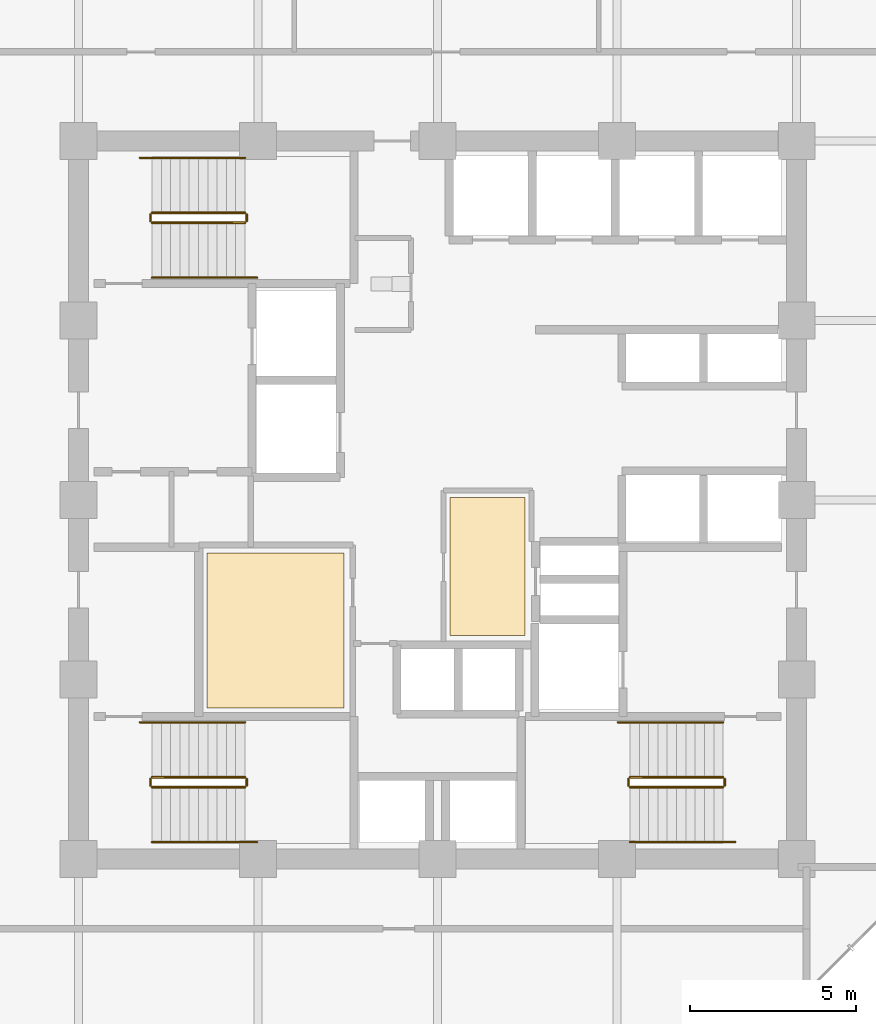
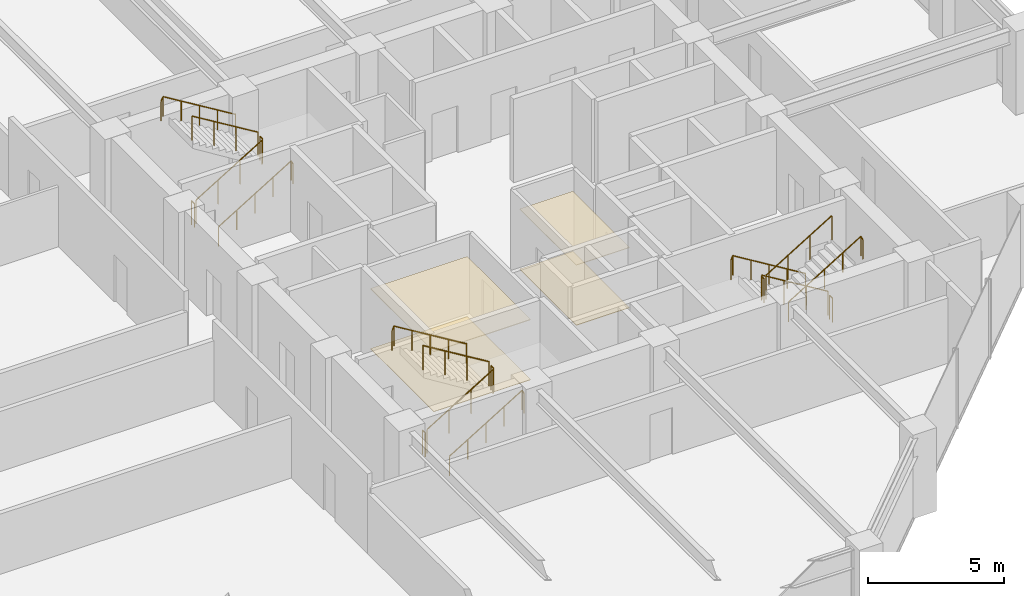
# One storey, part 22 of 23: 18 railings, 4 coverings.
"""IFC4 building model written with IfcOpenShell, lengths in metres."""

from ifc_helpers import new_model, si_unit, direction, frame, origin, origin_2d, place, context, subcontext, project, spatial, polyline, circle, outline, extrude, material, layer, layer_set, type_object, element, save


model = new_model("IFC4")

# Units and contexts
model_context = context("Model", 3, precision=1e-05, world=origin(), true_north=direction((0.0, 1.0)))
body_context = subcontext(model_context, "Body", "Model", "MODEL_VIEW")
ifc_project = project(units=[si_unit("LENGTHUNIT", "METRE"), si_unit("AREAUNIT", "SQUARE_METRE"), si_unit("VOLUMEUNIT", "CUBIC_METRE"), si_unit("PLANEANGLEUNIT", "RADIAN"), si_unit("MASSUNIT", "GRAM", prefix="KILO")], contexts=[model_context])

# Site, building, storey
site_placement = place(None, origin())
site = spatial("IfcSite", under=ifc_project, at=site_placement, CompositionType="ELEMENT")
building_placement = place(site_placement, origin())
building = spatial("IfcBuilding", under=site, at=building_placement, Name="Surkhivell Harbour Commons", CompositionType="ELEMENT")
storey_placement = place(building_placement, frame((0.0, 0.0, 135.75)))
storey = spatial("IfcBuildingStorey", under=building, at=storey_placement, Name="L35", CompositionType="ELEMENT", Elevation=135.75)

# Coverings
ifc_material_1 = material(Name="Perforated acoustic mineral-fibre ceiling tile", Category="other")
ifc_layer_1 = layer(ifc_material_1, 0.02490234375)
ifc_layer_set_1 = layer_set([ifc_layer_1], Name="Perforated acoustic mineral-fibre ceiling tile")
covering_type_1 = type_object("IfcCoveringType", Name="COV-CEIL-AC", PredefinedType="CEILING", material=ifc_layer_set_1)
covering_1_placement = place(storey_placement, frame((0.0, 0.0, 2.694091796875)))
element("IfcCovering", 1, at=covering_1_placement, inside=storey, type_object=covering_type_1, Name="L35 Suspended Acoustic Ceiling 1", PredefinedType="CEILING", context=body_context, shape_type="SweptSolid", body=[
    extrude(outline(polyline([(0.3701171875, -4.080078125), (2.6298828125, -4.080078125), (2.6298828125, 0.080078125), (0.3701171875, 0.080078125), (0.3701171875, -4.080078125)])), origin(), (0.0, 0.0, 1.0), 0.02490234375),
])
ifc_material_2 = material(Name="Moisture-resistant gypsum acoustic ceiling board", Category="other")
ifc_layer_2 = layer(ifc_material_2, 0.030029296875)
ifc_layer_set_2 = layer_set([ifc_layer_2], Name="Moisture-resistant gypsum acoustic ceiling board")
covering_type_2 = type_object("IfcCoveringType", Name="COV-CEIL-GYP", PredefinedType="CEILING", material=ifc_layer_set_2)
covering_2_placement = place(storey_placement, frame((0.0, 0.0, 2.68896484375)))
element("IfcCovering", 2, at=covering_2_placement, inside=storey, type_object=covering_type_2, Name="L35 Suspended Acoustic Ceiling 2", PredefinedType="CEILING", context=body_context, shape_type="SweptSolid", body=[
    extrude(outline(polyline([(-6.929931640625, -6.260009765625), (-2.820068359375, -6.260009765625), (-2.820068359375, -1.60009765625), (-6.929931640625, -1.60009765625), (-6.929931640625, -6.260009765625)])), origin(), (0.0, 0.0, 1.0), 0.030029296875),
])
ifc_material_3 = material(Name="Engineered acoustic oak timber flooring", Category="wood")
ifc_layer_3 = layer(ifc_material_3, 0.02001953125)
ifc_layer_set_3 = layer_set([ifc_layer_3], Name="Engineered acoustic oak timber flooring")
covering_type_3 = type_object("IfcCoveringType", Name="COV-FLR-TIM", PredefinedType="FLOORING", material=ifc_layer_set_3)
covering_3_placement = place(storey_placement, origin())
element("IfcCovering", 3, at=covering_3_placement, inside=storey, type_object=covering_type_3, Name="L35 Interior Floor Finish 1", PredefinedType="FLOORING", context=body_context, shape_type="SweptSolid", body=[
    extrude(outline(polyline([(0.3701171875, -4.080078125), (2.6298828125, -4.080078125), (2.6298828125, 0.080078125), (0.3701171875, 0.080078125), (0.3701171875, -4.080078125)])), origin(), (0.0, 0.0, 1.0), 0.02001953125),
])
covering_4_placement = place(storey_placement, origin())
element("IfcCovering", 4, at=covering_4_placement, inside=storey, type_object=covering_type_3, Name="L35 Interior Floor Finish 2", PredefinedType="FLOORING", context=body_context, shape_type="SweptSolid", body=[
    extrude(outline(polyline([(-6.929931640625, -6.260009765625), (-2.820068359375, -6.260009765625), (-2.820068359375, -1.60009765625), (-6.929931640625, -1.60009765625), (-6.929931640625, -6.260009765625)])), origin(), (0.0, 0.0, 1.0), 0.02001953125),
])

# Railings
ifc_material_4 = material(Name="Galvanised and painted steel S355 guard rail", Category="steel")
railing_type_1 = type_object("IfcRailingType", Name="RAL-ST-GRD1100", PredefinedType="GUARDRAIL", material=ifc_material_4)
railing_1_placement = place(storey_placement, frame((-8.590087890625, 8.340087890625, 0.17041015625)))
element("IfcRailing", 5, at=railing_1_placement, inside=storey, type_object=railing_type_1, Name="L35 ST1 stair guard 1", PredefinedType="GUARDRAIL", context=body_context, shape_type="SweptSolid", body=[
    extrude(circle(Radius=0.02392578125, at=origin_2d()), frame((0.0, 0.0, 1.076171875), z_axis=(0.854169791009, 0.0, 0.51999420009), x_axis=(0.0, 1.0, 0.0)), (0.0, 0.0, 1.0), 3.278076171875),
    extrude(circle(Radius=0.02099609375, at=origin_2d()), origin(), (0.0, 0.0, 1.0), 1.052001953125),
    extrude(circle(Radius=0.02099609375, at=origin_2d()), frame((0.933349609375, 0.0, 0.568115234375)), (0.0, 0.0, 1.0), 1.052001953125),
    extrude(circle(Radius=0.02099609375, at=origin_2d()), frame((1.86669921875, 0.0, 1.136474609375)), (0.0, 0.0, 1.0), 1.052001953125),
    extrude(circle(Radius=0.02099609375, at=origin_2d()), frame((2.800048828125, 0.0, 1.70458984375)), (0.0, 0.0, 1.0), 1.052001953125),
])
railing_2_placement = place(storey_placement, frame((-5.739990234375, 8.389892578125, 1.875)))
element("IfcRailing", 6, at=railing_2_placement, inside=storey, type_object=railing_type_1, Name="L35 ST1 stair guard 2", PredefinedType="GUARDRAIL", context=body_context, shape_type="SweptSolid", body=[
    extrude(circle(Radius=0.02392578125, at=origin_2d()), frame((0.0, 0.0, 1.076171875), z_axis=(0.0, 1.0, 0.0), x_axis=(-1.0, 0.0, 0.0)), (0.0, 0.0, 1.0), 0.2001953125),
    extrude(circle(Radius=0.02099609375, at=origin_2d()), origin(), (0.0, 0.0, 1.0), 1.052001953125),
    extrude(circle(Radius=0.02099609375, at=origin_2d()), frame((0.0, 0.2001953125, 0.0)), (0.0, 0.0, 1.0), 1.052001953125),
])
railing_3_placement = place(storey_placement, frame((-5.7900390625, 8.639892578125, 2.04541015625)))
element("IfcRailing", 7, at=railing_3_placement, inside=storey, type_object=railing_type_1, Name="L35 ST1 stair guard 3", PredefinedType="GUARDRAIL", context=body_context, shape_type="SweptSolid", body=[
    extrude(circle(Radius=0.02392578125, at=origin_2d()), frame((0.0, 0.0, 1.076171875), z_axis=(-0.854169791009, 0.0, 0.51999420009), x_axis=(0.0, -1.0, 0.0)), (0.0, 0.0, 1.0), 3.278076171875),
    extrude(circle(Radius=0.02099609375, at=origin_2d()), origin(), (0.0, 0.0, 1.0), 1.052001953125),
    extrude(circle(Radius=0.02099609375, at=origin_2d()), frame((-0.933349609375, 0.0, 0.568115234375)), (0.0, 0.0, 1.0), 1.052001953125),
    extrude(circle(Radius=0.02099609375, at=origin_2d()), frame((-1.86669921875, 0.0, 1.136474609375)), (0.0, 0.0, 1.0), 1.052001953125),
    extrude(circle(Radius=0.02099609375, at=origin_2d()), frame((-2.800048828125, 0.0, 1.70458984375)), (0.0, 0.0, 1.0), 1.052001953125),
])
railing_4_placement = place(storey_placement, frame((-8.639892578125, 8.389892578125, 0.0)))
element("IfcRailing", 8, at=railing_4_placement, inside=storey, type_object=railing_type_1, Name="L35 ST1 stair guard 4", PredefinedType="GUARDRAIL", context=body_context, shape_type="SweptSolid", body=[
    extrude(circle(Radius=0.02392578125, at=origin_2d()), frame((0.0, 0.0, 1.076171875), z_axis=(0.0, 1.0, 0.0), x_axis=(-1.0, 0.0, 0.0)), (0.0, 0.0, 1.0), 0.2001953125),
    extrude(circle(Radius=0.02099609375, at=origin_2d()), origin(), (0.0, 0.0, 1.0), 1.052001953125),
    extrude(circle(Radius=0.02099609375, at=origin_2d()), frame((0.0, 0.2001953125, 0.0)), (0.0, 0.0, 1.0), 1.052001953125),
])
railing_5_placement = place(storey_placement, frame((8.590087890625, -8.340087890625, 0.17041015625)))
element("IfcRailing", 9, at=railing_5_placement, inside=storey, type_object=railing_type_1, Name="L35 ST2 stair guard 1", PredefinedType="GUARDRAIL", context=body_context, shape_type="SweptSolid", body=[
    extrude(circle(Radius=0.02392578125, at=origin_2d()), frame((0.0, 0.0, 1.076171875), z_axis=(-0.854169791009, 0.0, 0.51999420009), x_axis=(0.0, -1.0, 0.0)), (0.0, 0.0, 1.0), 3.278076171875),
    extrude(circle(Radius=0.02099609375, at=origin_2d()), origin(), (0.0, 0.0, 1.0), 1.052001953125),
    extrude(circle(Radius=0.02099609375, at=origin_2d()), frame((-0.933349609375, 0.0, 0.568115234375)), (0.0, 0.0, 1.0), 1.052001953125),
    extrude(circle(Radius=0.02099609375, at=origin_2d()), frame((-1.86669921875, 0.0, 1.136474609375)), (0.0, 0.0, 1.0), 1.052001953125),
    extrude(circle(Radius=0.02099609375, at=origin_2d()), frame((-2.800048828125, 0.0, 1.70458984375)), (0.0, 0.0, 1.0), 1.052001953125),
])
railing_6_placement = place(storey_placement, frame((5.739990234375, -8.389892578125, 1.875)))
element("IfcRailing", 10, at=railing_6_placement, inside=storey, type_object=railing_type_1, Name="L35 ST2 stair guard 2", PredefinedType="GUARDRAIL", context=body_context, shape_type="SweptSolid", body=[
    extrude(circle(Radius=0.02392578125, at=origin_2d()), frame((0.0, 0.0, 1.076171875), z_axis=(0.0, -1.0, 0.0), x_axis=(1.0, 0.0, 0.0)), (0.0, 0.0, 1.0), 0.2001953125),
    extrude(circle(Radius=0.02099609375, at=origin_2d()), origin(), (0.0, 0.0, 1.0), 1.052001953125),
    extrude(circle(Radius=0.02099609375, at=origin_2d()), frame((0.0, -0.2001953125, 0.0)), (0.0, 0.0, 1.0), 1.052001953125),
])
railing_7_placement = place(storey_placement, frame((5.7900390625, -8.639892578125, 2.04541015625)))
element("IfcRailing", 11, at=railing_7_placement, inside=storey, type_object=railing_type_1, Name="L35 ST2 stair guard 3", PredefinedType="GUARDRAIL", context=body_context, shape_type="SweptSolid", body=[
    extrude(circle(Radius=0.02392578125, at=origin_2d()), frame((0.0, 0.0, 1.076171875), z_axis=(0.854169791009, 0.0, 0.51999420009), x_axis=(0.0, 1.0, 0.0)), (0.0, 0.0, 1.0), 3.278076171875),
    extrude(circle(Radius=0.02099609375, at=origin_2d()), origin(), (0.0, 0.0, 1.0), 1.052001953125),
    extrude(circle(Radius=0.02099609375, at=origin_2d()), frame((0.933349609375, 0.0, 0.568115234375)), (0.0, 0.0, 1.0), 1.052001953125),
    extrude(circle(Radius=0.02099609375, at=origin_2d()), frame((1.86669921875, 0.0, 1.136474609375)), (0.0, 0.0, 1.0), 1.052001953125),
    extrude(circle(Radius=0.02099609375, at=origin_2d()), frame((2.800048828125, 0.0, 1.70458984375)), (0.0, 0.0, 1.0), 1.052001953125),
])
railing_8_placement = place(storey_placement, frame((8.639892578125, -8.389892578125, 0.0)))
element("IfcRailing", 12, at=railing_8_placement, inside=storey, type_object=railing_type_1, Name="L35 ST2 stair guard 4", PredefinedType="GUARDRAIL", context=body_context, shape_type="SweptSolid", body=[
    extrude(circle(Radius=0.02392578125, at=origin_2d()), frame((0.0, 0.0, 1.076171875), z_axis=(0.0, -1.0, 0.0), x_axis=(1.0, 0.0, 0.0)), (0.0, 0.0, 1.0), 0.2001953125),
    extrude(circle(Radius=0.02099609375, at=origin_2d()), origin(), (0.0, 0.0, 1.0), 1.052001953125),
    extrude(circle(Radius=0.02099609375, at=origin_2d()), frame((0.0, -0.2001953125, 0.0)), (0.0, 0.0, 1.0), 1.052001953125),
])
railing_9_placement = place(storey_placement, frame((-8.590087890625, -8.639892578125, 0.17041015625)))
element("IfcRailing", 13, at=railing_9_placement, inside=storey, type_object=railing_type_1, Name="L35 ST3 stair guard 1", PredefinedType="GUARDRAIL", context=body_context, shape_type="SweptSolid", body=[
    extrude(circle(Radius=0.02392578125, at=origin_2d()), frame((0.0, 0.0, 1.076171875), z_axis=(0.854169791009, 0.0, 0.51999420009), x_axis=(0.0, 1.0, 0.0)), (0.0, 0.0, 1.0), 3.278076171875),
    extrude(circle(Radius=0.02099609375, at=origin_2d()), origin(), (0.0, 0.0, 1.0), 1.052001953125),
    extrude(circle(Radius=0.02099609375, at=origin_2d()), frame((0.933349609375, 0.0, 0.568115234375)), (0.0, 0.0, 1.0), 1.052001953125),
    extrude(circle(Radius=0.02099609375, at=origin_2d()), frame((1.86669921875, 0.0, 1.136474609375)), (0.0, 0.0, 1.0), 1.052001953125),
    extrude(circle(Radius=0.02099609375, at=origin_2d()), frame((2.800048828125, 0.0, 1.70458984375)), (0.0, 0.0, 1.0), 1.052001953125),
])
railing_10_placement = place(storey_placement, frame((-5.739990234375, -8.590087890625, 1.875)))
element("IfcRailing", 14, at=railing_10_placement, inside=storey, type_object=railing_type_1, Name="L35 ST3 stair guard 2", PredefinedType="GUARDRAIL", context=body_context, shape_type="SweptSolid", body=[
    extrude(circle(Radius=0.02392578125, at=origin_2d()), frame((0.0, 0.0, 1.076171875), z_axis=(0.0, 1.0, 0.0), x_axis=(-1.0, 0.0, 0.0)), (0.0, 0.0, 1.0), 0.2001953125),
    extrude(circle(Radius=0.02099609375, at=origin_2d()), origin(), (0.0, 0.0, 1.0), 1.052001953125),
    extrude(circle(Radius=0.02099609375, at=origin_2d()), frame((0.0, 0.2001953125, 0.0)), (0.0, 0.0, 1.0), 1.052001953125),
])
railing_11_placement = place(storey_placement, frame((-5.7900390625, -8.340087890625, 2.04541015625)))
element("IfcRailing", 15, at=railing_11_placement, inside=storey, type_object=railing_type_1, Name="L35 ST3 stair guard 3", PredefinedType="GUARDRAIL", context=body_context, shape_type="SweptSolid", body=[
    extrude(circle(Radius=0.02392578125, at=origin_2d()), frame((0.0, 0.0, 1.076171875), z_axis=(-0.854169791009, 0.0, 0.51999420009), x_axis=(0.0, -1.0, 0.0)), (0.0, 0.0, 1.0), 3.278076171875),
    extrude(circle(Radius=0.02099609375, at=origin_2d()), origin(), (0.0, 0.0, 1.0), 1.052001953125),
    extrude(circle(Radius=0.02099609375, at=origin_2d()), frame((-0.933349609375, 0.0, 0.568115234375)), (0.0, 0.0, 1.0), 1.052001953125),
    extrude(circle(Radius=0.02099609375, at=origin_2d()), frame((-1.86669921875, 0.0, 1.136474609375)), (0.0, 0.0, 1.0), 1.052001953125),
    extrude(circle(Radius=0.02099609375, at=origin_2d()), frame((-2.800048828125, 0.0, 1.70458984375)), (0.0, 0.0, 1.0), 1.052001953125),
])
railing_12_placement = place(storey_placement, frame((-8.639892578125, -8.590087890625, 0.0)))
element("IfcRailing", 16, at=railing_12_placement, inside=storey, type_object=railing_type_1, Name="L35 ST3 stair guard 4", PredefinedType="GUARDRAIL", context=body_context, shape_type="SweptSolid", body=[
    extrude(circle(Radius=0.02392578125, at=origin_2d()), frame((0.0, 0.0, 1.076171875), z_axis=(0.0, 1.0, 0.0), x_axis=(-1.0, 0.0, 0.0)), (0.0, 0.0, 1.0), 0.2001953125),
    extrude(circle(Radius=0.02099609375, at=origin_2d()), origin(), (0.0, 0.0, 1.0), 1.052001953125),
    extrude(circle(Radius=0.02099609375, at=origin_2d()), frame((0.0, 0.2001953125, 0.0)), (0.0, 0.0, 1.0), 1.052001953125),
])
ifc_material_5 = material(Name="Brushed stainless steel S355 handrail", Category="steel")
railing_type_2 = type_object("IfcRailingType", Name="RAL-ST-HND900", PredefinedType="HANDRAIL", material=ifc_material_5)
railing_13_placement = place(storey_placement, frame((-8.590087890625, 6.68994140625, 0.17041015625)))
element("IfcRailing", 17, at=railing_13_placement, inside=storey, type_object=railing_type_2, Name="L35 ST1 stair handrail 1", PredefinedType="HANDRAIL", context=body_context, shape_type="SweptSolid", body=[
    extrude(circle(Radius=0.02392578125, at=origin_2d()), frame((0.0, 0.0, 0.8759765625), z_axis=(0.854177636135, 0.0, 0.519981313056), x_axis=(0.0, 1.0, 0.0)), (0.0, 0.0, 1.0), 3.60595703125),
    extrude(circle(Radius=0.02392578125, at=origin_2d()), frame((3.080078125, 0.0, 2.7509765625), z_axis=(0.425297416671, 0.0, -0.905053648892), x_axis=(0.0, 1.0, 0.0)), (0.0, 0.0, 1.0), 0.188232421875),
    extrude(circle(Radius=0.02099609375, at=origin_2d()), origin(), (0.0, 0.0, 1.0), 0.851806640625),
    extrude(circle(Radius=0.02099609375, at=origin_2d()), frame((0.77001953125, 0.0, 0.46875)), (0.0, 0.0, 1.0), 0.851806640625),
    extrude(circle(Radius=0.02099609375, at=origin_2d()), frame((1.5400390625, 0.0, 0.9375)), (0.0, 0.0, 1.0), 0.851806640625),
    extrude(circle(Radius=0.02099609375, at=origin_2d()), frame((2.31005859375, 0.0, 1.40625)), (0.0, 0.0, 1.0), 0.851806640625),
    extrude(circle(Radius=0.02099609375, at=origin_2d()), frame((3.080078125, 0.0, 1.875)), (0.0, 0.0, 1.0), 0.851806640625),
    extrude(circle(Radius=0.02099609375, at=origin_2d()), frame((3.16015625, 0.0, 1.70458984375)), (0.0, 0.0, 1.0), 0.851806640625),
])
railing_14_placement = place(storey_placement, frame((-5.7900390625, 10.2900390625, 2.04541015625)))
element("IfcRailing", 18, at=railing_14_placement, inside=storey, type_object=railing_type_2, Name="L35 ST1 stair handrail 2", PredefinedType="HANDRAIL", context=body_context, shape_type="SweptSolid", body=[
    extrude(circle(Radius=0.02392578125, at=origin_2d()), frame((0.0, 0.0, 0.8759765625), z_axis=(-0.854177636135, 0.0, 0.519981313056), x_axis=(0.0, -1.0, 0.0)), (0.0, 0.0, 1.0), 3.60595703125),
    extrude(circle(Radius=0.02392578125, at=origin_2d()), frame((-3.080078125, 0.0, 2.7509765625), z_axis=(-0.424234432967, 0.0, -0.905552398199), x_axis=(0.0, -1.0, 0.0)), (0.0, 0.0, 1.0), 0.188232421875),
    extrude(circle(Radius=0.02099609375, at=origin_2d()), origin(), (0.0, 0.0, 1.0), 0.851806640625),
    extrude(circle(Radius=0.02099609375, at=origin_2d()), frame((-0.77001953125, 0.0, 0.46875)), (0.0, 0.0, 1.0), 0.851806640625),
    extrude(circle(Radius=0.02099609375, at=origin_2d()), frame((-1.5400390625, 0.0, 0.9375)), (0.0, 0.0, 1.0), 0.851806640625),
    extrude(circle(Radius=0.02099609375, at=origin_2d()), frame((-2.31005859375, 0.0, 1.40625)), (0.0, 0.0, 1.0), 0.851806640625),
    extrude(circle(Radius=0.02099609375, at=origin_2d()), frame((-3.080078125, 0.0, 1.875)), (0.0, 0.0, 1.0), 0.851806640625),
    extrude(circle(Radius=0.02099609375, at=origin_2d()), frame((-3.159912109375, 0.0, 1.70458984375)), (0.0, 0.0, 1.0), 0.851806640625),
])
railing_15_placement = place(storey_placement, frame((8.590087890625, -6.68994140625, 0.17041015625)))
element("IfcRailing", 19, at=railing_15_placement, inside=storey, type_object=railing_type_2, Name="L35 ST2 stair handrail 1", PredefinedType="HANDRAIL", context=body_context, shape_type="SweptSolid", body=[
    extrude(circle(Radius=0.02392578125, at=origin_2d()), frame((0.0, 0.0, 0.8759765625), z_axis=(-0.854177636135, 0.0, 0.519981313056), x_axis=(0.0, -1.0, 0.0)), (0.0, 0.0, 1.0), 3.60595703125),
    extrude(circle(Radius=0.02392578125, at=origin_2d()), frame((-3.080078125, 0.0, 2.7509765625), z_axis=(-0.425297416671, 0.0, -0.905053648892), x_axis=(0.0, -1.0, 0.0)), (0.0, 0.0, 1.0), 0.188232421875),
    extrude(circle(Radius=0.02099609375, at=origin_2d()), origin(), (0.0, 0.0, 1.0), 0.851806640625),
    extrude(circle(Radius=0.02099609375, at=origin_2d()), frame((-0.77001953125, 0.0, 0.46875)), (0.0, 0.0, 1.0), 0.851806640625),
    extrude(circle(Radius=0.02099609375, at=origin_2d()), frame((-1.5400390625, 0.0, 0.9375)), (0.0, 0.0, 1.0), 0.851806640625),
    extrude(circle(Radius=0.02099609375, at=origin_2d()), frame((-2.31005859375, 0.0, 1.40625)), (0.0, 0.0, 1.0), 0.851806640625),
    extrude(circle(Radius=0.02099609375, at=origin_2d()), frame((-3.080078125, 0.0, 1.875)), (0.0, 0.0, 1.0), 0.851806640625),
    extrude(circle(Radius=0.02099609375, at=origin_2d()), frame((-3.16015625, 0.0, 1.70458984375)), (0.0, 0.0, 1.0), 0.851806640625),
])
railing_16_placement = place(storey_placement, frame((5.7900390625, -10.2900390625, 2.04541015625)))
element("IfcRailing", 20, at=railing_16_placement, inside=storey, type_object=railing_type_2, Name="L35 ST2 stair handrail 2", PredefinedType="HANDRAIL", context=body_context, shape_type="SweptSolid", body=[
    extrude(circle(Radius=0.02392578125, at=origin_2d()), frame((0.0, 0.0, 0.8759765625), z_axis=(0.854177636135, 0.0, 0.519981313056), x_axis=(0.0, 1.0, 0.0)), (0.0, 0.0, 1.0), 3.60595703125),
    extrude(circle(Radius=0.02392578125, at=origin_2d()), frame((3.080078125, 0.0, 2.7509765625), z_axis=(0.424234432967, 0.0, -0.905552398199), x_axis=(0.0, 1.0, 0.0)), (0.0, 0.0, 1.0), 0.188232421875),
    extrude(circle(Radius=0.02099609375, at=origin_2d()), origin(), (0.0, 0.0, 1.0), 0.851806640625),
    extrude(circle(Radius=0.02099609375, at=origin_2d()), frame((0.77001953125, 0.0, 0.46875)), (0.0, 0.0, 1.0), 0.851806640625),
    extrude(circle(Radius=0.02099609375, at=origin_2d()), frame((1.5400390625, 0.0, 0.9375)), (0.0, 0.0, 1.0), 0.851806640625),
    extrude(circle(Radius=0.02099609375, at=origin_2d()), frame((2.31005859375, 0.0, 1.40625)), (0.0, 0.0, 1.0), 0.851806640625),
    extrude(circle(Radius=0.02099609375, at=origin_2d()), frame((3.080078125, 0.0, 1.875)), (0.0, 0.0, 1.0), 0.851806640625),
    extrude(circle(Radius=0.02099609375, at=origin_2d()), frame((3.159912109375, 0.0, 1.70458984375)), (0.0, 0.0, 1.0), 0.851806640625),
])
railing_17_placement = place(storey_placement, frame((-8.590087890625, -10.2900390625, 0.17041015625)))
element("IfcRailing", 21, at=railing_17_placement, inside=storey, type_object=railing_type_2, Name="L35 ST3 stair handrail 1", PredefinedType="HANDRAIL", context=body_context, shape_type="SweptSolid", body=[
    extrude(circle(Radius=0.02392578125, at=origin_2d()), frame((0.0, 0.0, 0.8759765625), z_axis=(0.854177636135, 0.0, 0.519981313056), x_axis=(0.0, 1.0, 0.0)), (0.0, 0.0, 1.0), 3.60595703125),
    extrude(circle(Radius=0.02392578125, at=origin_2d()), frame((3.080078125, 0.0, 2.7509765625), z_axis=(0.425297416671, 0.0, -0.905053648892), x_axis=(0.0, 1.0, 0.0)), (0.0, 0.0, 1.0), 0.188232421875),
    extrude(circle(Radius=0.02099609375, at=origin_2d()), origin(), (0.0, 0.0, 1.0), 0.851806640625),
    extrude(circle(Radius=0.02099609375, at=origin_2d()), frame((0.77001953125, 0.0, 0.46875)), (0.0, 0.0, 1.0), 0.851806640625),
    extrude(circle(Radius=0.02099609375, at=origin_2d()), frame((1.5400390625, 0.0, 0.9375)), (0.0, 0.0, 1.0), 0.851806640625),
    extrude(circle(Radius=0.02099609375, at=origin_2d()), frame((2.31005859375, 0.0, 1.40625)), (0.0, 0.0, 1.0), 0.851806640625),
    extrude(circle(Radius=0.02099609375, at=origin_2d()), frame((3.080078125, 0.0, 1.875)), (0.0, 0.0, 1.0), 0.851806640625),
    extrude(circle(Radius=0.02099609375, at=origin_2d()), frame((3.16015625, 0.0, 1.70458984375)), (0.0, 0.0, 1.0), 0.851806640625),
])
railing_18_placement = place(storey_placement, frame((-5.7900390625, -6.68994140625, 2.04541015625)))
element("IfcRailing", 22, at=railing_18_placement, inside=storey, type_object=railing_type_2, Name="L35 ST3 stair handrail 2", PredefinedType="HANDRAIL", context=body_context, shape_type="SweptSolid", body=[
    extrude(circle(Radius=0.02392578125, at=origin_2d()), frame((0.0, 0.0, 0.8759765625), z_axis=(-0.854177636135, 0.0, 0.519981313056), x_axis=(0.0, -1.0, 0.0)), (0.0, 0.0, 1.0), 3.60595703125),
    extrude(circle(Radius=0.02392578125, at=origin_2d()), frame((-3.080078125, 0.0, 2.7509765625), z_axis=(-0.424234432967, 0.0, -0.905552398199), x_axis=(0.0, -1.0, 0.0)), (0.0, 0.0, 1.0), 0.188232421875),
    extrude(circle(Radius=0.02099609375, at=origin_2d()), origin(), (0.0, 0.0, 1.0), 0.851806640625),
    extrude(circle(Radius=0.02099609375, at=origin_2d()), frame((-0.77001953125, 0.0, 0.46875)), (0.0, 0.0, 1.0), 0.851806640625),
    extrude(circle(Radius=0.02099609375, at=origin_2d()), frame((-1.5400390625, 0.0, 0.9375)), (0.0, 0.0, 1.0), 0.851806640625),
    extrude(circle(Radius=0.02099609375, at=origin_2d()), frame((-2.31005859375, 0.0, 1.40625)), (0.0, 0.0, 1.0), 0.851806640625),
    extrude(circle(Radius=0.02099609375, at=origin_2d()), frame((-3.080078125, 0.0, 1.875)), (0.0, 0.0, 1.0), 0.851806640625),
    extrude(circle(Radius=0.02099609375, at=origin_2d()), frame((-3.159912109375, 0.0, 1.70458984375)), (0.0, 0.0, 1.0), 0.851806640625),
])

save(model, "model.ifc")
